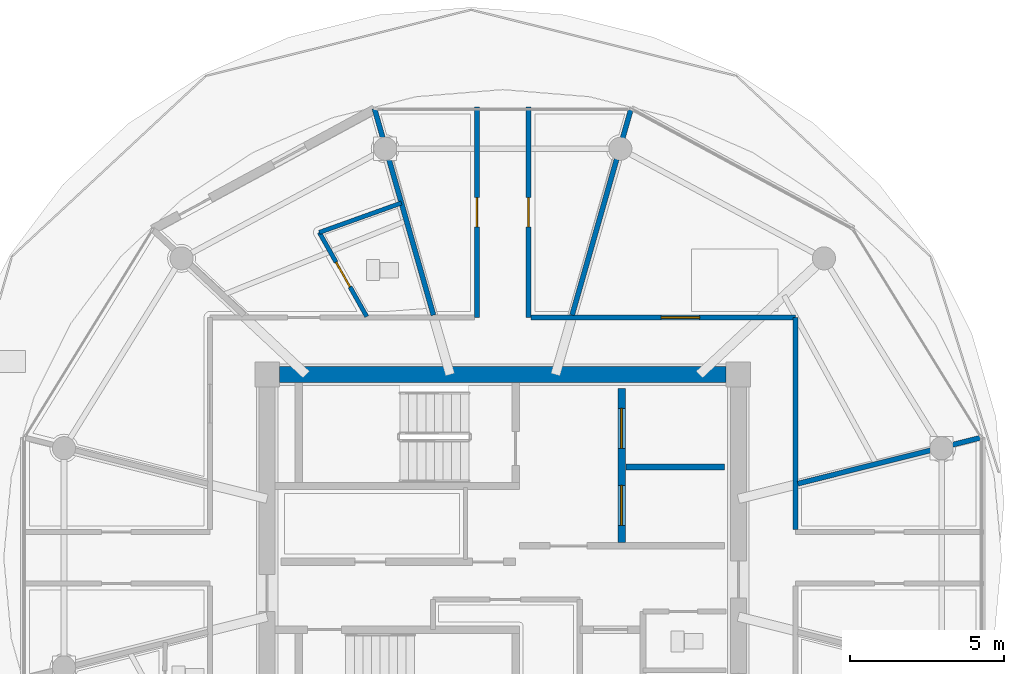
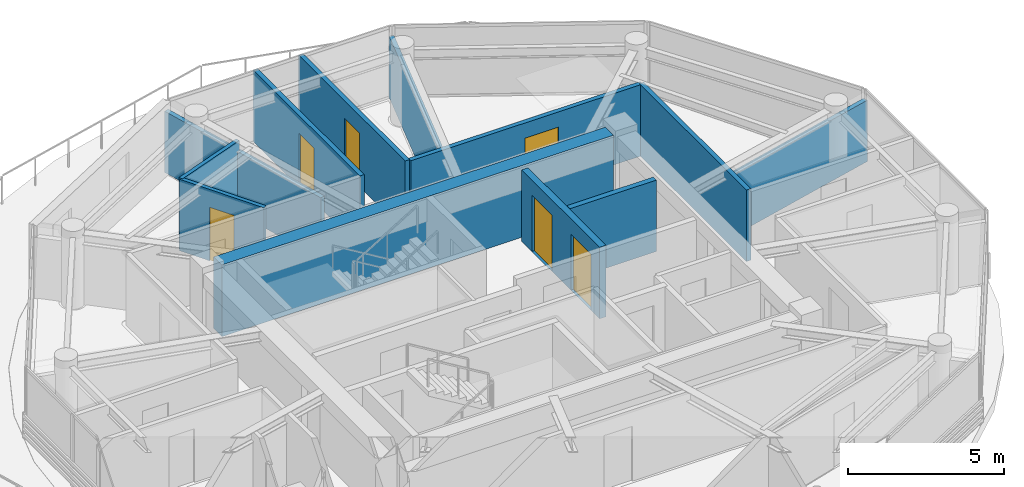
# One storey, part 15 of 28: 12 walls, 6 doors, 6 openings.
"""IFC4 building model written with IfcOpenShell, lengths in metres."""

from ifc_helpers import new_model, si_unit, direction, frame, frame_2d, origin, place, context, subcontext, project, spatial, rectangle, extrude, source, transform, mapped, material, layer, layer_set, type_object, type_shapes, element, fill, save


model = new_model("IFC4")

# Units and contexts
model_context = context("Model", 3, precision=1e-05, world=origin(), true_north=direction((0.0, 1.0)))
body_context = subcontext(model_context, "Body", "Model", "MODEL_VIEW")
ifc_project = project(units=[si_unit("LENGTHUNIT", "METRE"), si_unit("AREAUNIT", "SQUARE_METRE"), si_unit("VOLUMEUNIT", "CUBIC_METRE"), si_unit("PLANEANGLEUNIT", "RADIAN"), si_unit("MASSUNIT", "GRAM", prefix="KILO")], contexts=[model_context])

# Site, building, storey
site_placement = place(None, origin())
site = spatial("IfcSite", under=ifc_project, at=site_placement, CompositionType="ELEMENT")
building_placement = place(site_placement, origin())
building = spatial("IfcBuilding", under=site, at=building_placement, Name="Norrkilde Senior Care Towers", CompositionType="ELEMENT")
storey_placement = place(building_placement, frame((0.0, 0.0, 190.64990234375)))
storey = spatial("IfcBuildingStorey", under=building, at=storey_placement, Name="L59", CompositionType="ELEMENT", Elevation=190.64990234375)

# Wall
ifc_material_1 = material(Name="Concrete C50/60", Category="concrete")
ifc_layer_1 = layer(ifc_material_1, 0.52001953125)
ifc_layer_set_1 = layer_set([ifc_layer_1], Name="Concrete C50/60")
wall_type_1 = type_object("IfcWallType", Name="Core Shear Wall Z4 520", PredefinedType="SHEAR", material=ifc_layer_set_1)
shared_shape_1 = source(origin(), body_context, "Body", "SweptSolid", [
    extrude(rectangle(XDim=14.5, YDim=0.52001953125, at=frame_2d((7.25, 0.0))), origin(), (0.0, 0.0, 1.0), 2.81005859375),
])
type_shapes(wall_type_1, [shared_shape_1])
wall_1_placement = place(storey_placement, frame((20.75, 5.949951171875, 0.0), z_axis=(0.0, 0.0, 1.0), x_axis=(1.0, 0.0, 0.0)))
element("IfcWall", 1, at=wall_1_placement, inside=storey, type_object=wall_type_1, Name="L59 Core E North Shear Wall", PredefinedType="SHEAR", context=body_context, shape_type="MappedRepresentation", body=[
    mapped(shared_shape_1, transform((0.0, 0.0, 0.0), x_axis=(1.0, 0.0, 0.0), y_axis=(0.0, 1.0, 0.0), z_axis=(0.0, 0.0, 1.0), scale=1.0)),
])

# Wall, openings, doors
ifc_material_2 = material(Name="Concrete C45/55", Category="concrete")
ifc_layer_2 = layer(ifc_material_2, 0.239990234375)
ifc_layer_set_2 = layer_set([ifc_layer_2], Name="Concrete C45/55")
wall_type_2 = type_object("IfcWallType", Name="Lift and Plant Rated Enclosure Partition 240", PredefinedType="PARTITIONING", material=ifc_layer_set_2)
shared_shape_2 = source(origin(), body_context, "Body", "SweptSolid", [
    extrude(rectangle(XDim=5.0, YDim=0.239990234375, at=frame_2d((2.5, 0.0))), origin(), (0.0, 0.0, 1.0), 2.795166015625),
])
type_shapes(wall_type_2, [shared_shape_2])
wall_2_placement = place(storey_placement, frame((31.860107421875, 0.5, 0.0), z_axis=(0.0, 0.0, 1.0), x_axis=(0.0, 1.0, 0.0)))
wall_2 = element("IfcWall", 2, at=wall_2_placement, inside=storey, type_object=wall_type_2, Name="WL-INT-L59-E-FFLE", PredefinedType="PARTITIONING", context=body_context, shape_type="MappedRepresentation", body=[
    mapped(shared_shape_2, transform((0.0, 0.0, 0.0), x_axis=(1.0, 0.0, 0.0), y_axis=(0.0, 1.0, 0.0), z_axis=(0.0, 0.0, 1.0), scale=1.0)),
])
opening_1_placement = place(wall_2_placement, frame((3.050048828125, 0.0, 0.0)))
opening_1 = element("IfcOpeningElement", 3, at=opening_1_placement, cuts=wall_2, Name="Opening LD-02", PredefinedType="OPENING", context=body_context, shape_type="SweptSolid", body=[
    extrude(rectangle(XDim=1.300048828125, YDim=2.199951171875, at=frame_2d((0.64990234375, 1.10009765625))), frame((0.0, 0.1298828125, 0.0), z_axis=(0.0, -1.0, 0.0), x_axis=(1.0, 0.0, 0.0)), (0.0, 0.0, 1.0), 0.260009765625),
])
opening_2_placement = place(wall_2_placement, frame((0.550048828125, 0.0, 0.0)))
opening_2 = element("IfcOpeningElement", 4, at=opening_2_placement, cuts=wall_2, Name="Opening LD-02", PredefinedType="OPENING", context=body_context, shape_type="SweptSolid", body=[
    extrude(rectangle(XDim=1.300048828125, YDim=2.199951171875, at=frame_2d((0.64990234375, 1.10009765625))), frame((0.0, 0.1298828125, 0.0), z_axis=(0.0, -1.0, 0.0), x_axis=(1.0, 0.0, 0.0)), (0.0, 0.0, 1.0), 0.260009765625),
])
ifc_material_3 = material(Name="Stainless Steel", Category="steel")
door_type_1 = type_object("IfcDoorType", Name="Stretcher and FFL Landing Sliding Door 1300x2200", OperationType="NOTDEFINED", PredefinedType="DOOR", material=ifc_material_3)
shared_shape_3 = source(origin(), body_context, "Body", "SweptSolid", [
    extrude(rectangle(XDim=1.300048828125, YDim=2.199951171875, at=frame_2d((0.64990234375, 1.10009765625))), frame((0.0, 0.02490234375, 0.0), z_axis=(0.0, -1.0, 0.0), x_axis=(1.0, 0.0, 0.0)), (0.0, 0.0, 1.0), 0.050048828125),
])
type_shapes(door_type_1, [shared_shape_3])
door_1_placement = place(opening_1_placement, origin())
door_1 = element("IfcDoor", 5, at=door_1_placement, inside=storey, type_object=door_type_1, Name="L59 Firefighting Lift E1 Landing Door", OperationType="SLIDING_TO_LEFT", OverallHeight=2.199951171875, OverallWidth=1.300048828125, PredefinedType="DOOR", context=body_context, shape_type="MappedRepresentation", body=[
    mapped(shared_shape_3, transform((0.0, 0.0, 0.0), x_axis=(1.0, 0.0, 0.0), y_axis=(0.0, 1.0, 0.0), z_axis=(0.0, 0.0, 1.0), scale=1.0)),
])
fill(opening_1, door_1)
door_2_placement = place(opening_2_placement, origin())
door_2 = element("IfcDoor", 6, at=door_2_placement, inside=storey, type_object=door_type_1, Name="L59 Stretcher Lift E1 Landing Door", OperationType="SLIDING_TO_RIGHT", OverallHeight=2.199951171875, OverallWidth=1.300048828125, PredefinedType="DOOR", context=body_context, shape_type="MappedRepresentation", body=[
    mapped(shared_shape_3, transform((0.0, 0.0, 0.0), x_axis=(1.0, 0.0, 0.0), y_axis=(0.0, 1.0, 0.0), z_axis=(0.0, 0.0, 1.0), scale=1.0)),
])
fill(opening_2, door_2)

# Wall
ifc_layer_3 = layer(ifc_material_2, 0.199951171875)
ifc_layer_set_3 = layer_set([ifc_layer_3], Name="Concrete C45/55")
wall_type_3 = type_object("IfcWallType", Name="Shaft Division and Plant Partition 200", PredefinedType="PARTITIONING", material=ifc_layer_set_3)
shared_shape_4 = source(origin(), body_context, "Body", "SweptSolid", [
    extrude(rectangle(XDim=3.199951171875, YDim=0.199951171875, at=frame_2d((1.60009765625, 0.0))), origin(), (0.0, 0.0, 1.0), 2.795166015625),
])
type_shapes(wall_type_3, [shared_shape_4])
wall_3_placement = place(storey_placement, frame((32.0, 2.949951171875, 0.0), z_axis=(0.0, 0.0, 1.0), x_axis=(1.0, 0.0, 0.0)))
element("IfcWall", 7, at=wall_3_placement, inside=storey, type_object=wall_type_3, Name="WL-INT-L59-E-FFLDIV", PredefinedType="PARTITIONING", context=body_context, shape_type="MappedRepresentation", body=[
    mapped(shared_shape_4, transform((0.0, 0.0, 0.0), x_axis=(1.0, 0.0, 0.0), y_axis=(0.0, 1.0, 0.0), z_axis=(0.0, 0.0, 1.0), scale=1.0)),
])

# Wall, opening, door
ifc_material_4 = material(Name="Gypsum Acoustic Board")
ifc_layer_4 = layer(ifc_material_4, 0.1650390625)
ifc_layer_set_4 = layer_set([ifc_layer_4], Name="Gypsum Acoustic Board")
wall_type_4 = type_object("IfcWallType", Name="Corridor Rated Partition 165", PredefinedType="PARTITIONING", material=ifc_layer_set_4)
shared_shape_5 = source(origin(), body_context, "Body", "SweptSolid", [
    extrude(rectangle(XDim=8.580078125, YDim=0.1650390625, at=frame_2d((4.2900390625, 0.0))), origin(), (0.0, 0.0, 1.0), 2.795166015625),
])
wall_4_placement = place(storey_placement, frame((28.919921875, 7.800048828125, 0.0), z_axis=(0.0, 0.0, 1.0), x_axis=(1.0, 0.0, 0.0)))
wall_4 = element("IfcWall", 8, at=wall_4_placement, inside=storey, type_object=wall_type_4, Name="WL-INT-L59-E-CRW-N-1", PredefinedType="PARTITIONING", context=body_context, shape_type="MappedRepresentation", body=[
    mapped(shared_shape_5, transform((0.0, 0.0, 0.0), x_axis=(1.0, 0.0, 0.0), y_axis=(0.0, 1.0, 0.0), z_axis=(0.0, 0.0, 1.0), scale=1.0)),
])
opening_3_placement = place(wall_4_placement, frame((4.2197265625, 0.0, 0.0)))
opening_3 = element("IfcOpeningElement", 9, at=opening_3_placement, cuts=wall_4, Name="Opening D-05", PredefinedType="OPENING", context=body_context, shape_type="SweptSolid", body=[
    extrude(rectangle(XDim=1.25, YDim=2.199951171875, at=frame_2d((0.625, 1.10009765625))), frame((0.0, 0.092529296875, 0.0), z_axis=(0.0, -1.0, 0.0), x_axis=(1.0, 0.0, 0.0)), (0.0, 0.0, 1.0), 0.18505859375),
])
ifc_material_5 = material(Name="Nordic Ash Timber", Category="wood")
door_type_2 = type_object("IfcDoorType", Name="Care Bedroom Bariatric Door 1250x2200", OperationType="NOTDEFINED", PredefinedType="DOOR", material=ifc_material_5)
shared_shape_6 = source(origin(), body_context, "Body", "SweptSolid", [
    extrude(rectangle(XDim=1.25, YDim=2.199951171875, at=frame_2d((0.625, 1.10009765625))), frame((0.0, 0.02490234375, 0.0), z_axis=(0.0, -1.0, 0.0), x_axis=(1.0, 0.0, 0.0)), (0.0, 0.0, 1.0), 0.050048828125),
])
type_shapes(door_type_2, [shared_shape_6])
door_3_placement = place(opening_3_placement, frame((1.25, 0.0, 0.0), z_axis=(0.0, 0.0, 1.0), x_axis=(-1.0, 0.0, 0.0)))
door_3 = element("IfcDoor", 10, at=door_3_placement, inside=storey, type_object=door_type_2, Name="L59 Senior Wellness Library Lounge Door", OperationType="SINGLE_SWING_LEFT", OverallHeight=2.199951171875, OverallWidth=1.25, PredefinedType="DOOR", context=body_context, shape_type="MappedRepresentation", body=[
    mapped(shared_shape_6, transform((0.0, 0.0, 0.0), x_axis=(1.0, 0.0, 0.0), y_axis=(0.0, 1.0, 0.0), z_axis=(0.0, 0.0, 1.0), scale=1.0)),
])
fill(opening_3, door_3)

# Walls
shared_shape_7 = source(origin(), body_context, "Body", "SweptSolid", [
    extrude(rectangle(XDim=6.880126953125, YDim=0.1650390625, at=frame_2d((3.43994140625, 0.0))), origin(), (0.0, 0.0, 1.0), 2.795166015625),
])
wall_5_placement = place(storey_placement, frame((37.5, 7.800048828125, 0.0), z_axis=(0.0, 0.0, 1.0), x_axis=(0.0, -1.0, 0.0)))
element("IfcWall", 11, at=wall_5_placement, inside=storey, type_object=wall_type_4, Name="WL-INT-L59-E-CRW-E-0", PredefinedType="PARTITIONING", context=body_context, shape_type="MappedRepresentation", body=[
    mapped(shared_shape_7, transform((0.0, 0.0, 0.0), x_axis=(1.0, 0.0, 0.0), y_axis=(0.0, 1.0, 0.0), z_axis=(0.0, 0.0, 1.0), scale=1.0)),
])
shared_shape_8 = source(origin(), body_context, "Body", "SweptSolid", [
    extrude(rectangle(XDim=6.973876953125, YDim=0.1650390625, at=frame_2d((3.48681640625, 0.0))), origin(), (0.0, 0.0, 1.0), 2.39501953125),
])
for number, where, z_axis, x_axis, name in (
    (12, (30.251220703125, 7.8798828125, 0.0), (0.0, 0.0, 1.0), (0.274707256801, 0.961527910703, 0.0), "WL-INT-L59-E-DEM-02-0"),
    (13, (25.748779296875, 7.8798828125, 0.0), (0.0, 0.0, 1.0), (-0.274707256801, 0.961527910703, 0.0), "WL-INT-L59-E-DEM-03-0"),
):
    element("IfcWall", number, at=place(storey_placement, frame(where, z_axis=z_axis, x_axis=x_axis)), inside=storey, type_object=wall_type_4, Name=name, PredefinedType="PARTITIONING", context=body_context, shape_type="MappedRepresentation", body=[
        mapped(shared_shape_8, transform((0.0, 0.0, 0.0), x_axis=(1.0, 0.0, 0.0), y_axis=(0.0, 1.0, 0.0), z_axis=(0.0, 0.0, 1.0), scale=1.0)),
    ])
shared_shape_9 = source(origin(), body_context, "Body", "SweptSolid", [
    extrude(rectangle(XDim=6.1572265625, YDim=0.1650390625, at=frame_2d((3.07861328125, 0.0))), origin(), (0.0, 0.0, 1.0), 2.39501953125),
])
wall_6_placement = place(storey_placement, frame((37.580078125, 2.407470703125, 0.0), z_axis=(0.0, 0.0, 1.0), x_axis=(0.969840867184, 0.243738984038, 0.0)))
element("IfcWall", 14, at=wall_6_placement, inside=storey, type_object=wall_type_4, Name="WL-INT-L59-E-DEM-00-0", PredefinedType="PARTITIONING", context=body_context, shape_type="MappedRepresentation", body=[
    mapped(shared_shape_9, transform((0.0, 0.0, 0.0), x_axis=(1.0, 0.0, 0.0), y_axis=(0.0, 1.0, 0.0), z_axis=(0.0, 0.0, 1.0), scale=1.0)),
])

# Wall, opening, door
shared_shape_10 = source(origin(), body_context, "Body", "SweptSolid", [
    extrude(rectangle(XDim=6.83544921875, YDim=0.1650390625, at=frame_2d((3.417724609375, 0.0))), origin(), (0.0, 0.0, 1.0), 2.795166015625),
])
type_shapes(wall_type_4, [shared_shape_5, shared_shape_7, shared_shape_8, shared_shape_9, shared_shape_10])
wall_7_placement = place(storey_placement, frame((27.159912109375, 7.800048828125, 0.0), z_axis=(0.0, 0.0, 1.0), x_axis=(0.0, 1.0, 0.0)))
wall_7 = element("IfcWall", 15, at=wall_7_placement, inside=storey, type_object=wall_type_4, Name="WL-INT-L59-E-SPK-N1-0", PredefinedType="PARTITIONING", context=body_context, shape_type="MappedRepresentation", body=[
    mapped(shared_shape_10, transform((0.0, 0.0, 0.0), x_axis=(1.0, 0.0, 0.0), y_axis=(0.0, 1.0, 0.0), z_axis=(0.0, 0.0, 1.0), scale=1.0)),
])
opening_4_placement = place(wall_7_placement, frame((2.942626953125, 0.0, 0.0)))
opening_4 = element("IfcOpeningElement", 16, at=opening_4_placement, cuts=wall_7, Name="Opening D-07", PredefinedType="OPENING", context=body_context, shape_type="SweptSolid", body=[
    extrude(rectangle(XDim=0.949951171875, YDim=2.10009765625, at=frame_2d((0.47509765625, 1.050048828125))), frame((0.0, 0.092529296875, 0.0), z_axis=(0.0, -1.0, 0.0), x_axis=(1.0, 0.0, 0.0)), (0.0, 0.0, 1.0), 0.18505859375),
])
door_type_3 = type_object("IfcDoorType", Name="Internal Suite Bedroom Door 950x2100", OperationType="NOTDEFINED", PredefinedType="DOOR", material=ifc_material_5)
shared_shape_11 = source(origin(), body_context, "Body", "SweptSolid", [
    extrude(rectangle(XDim=0.949951171875, YDim=2.10009765625, at=frame_2d((0.47509765625, 1.050048828125))), frame((0.0, 0.02490234375, 0.0), z_axis=(0.0, -1.0, 0.0), x_axis=(1.0, 0.0, 0.0)), (0.0, 0.0, 1.0), 0.050048828125),
])
type_shapes(door_type_3, [shared_shape_11])
door_4_placement = place(opening_4_placement, frame((0.949951171875, 0.0, 0.0), z_axis=(0.0, 0.0, 1.0), x_axis=(-1.0, 0.0, 0.0)))
door_4 = element("IfcDoor", 17, at=door_4_placement, inside=storey, type_object=door_type_3, Name="L59 Sun Reading Lounge 3 Door", OperationType="SINGLE_SWING_RIGHT", OverallHeight=2.10009765625, OverallWidth=0.949951171875, PredefinedType="DOOR", context=body_context, shape_type="MappedRepresentation", body=[
    mapped(shared_shape_11, transform((0.0, 0.0, 0.0), x_axis=(1.0, 0.0, 0.0), y_axis=(0.0, 1.0, 0.0), z_axis=(0.0, 0.0, 1.0), scale=1.0)),
])
fill(opening_4, door_4)

wall_8_placement = place(storey_placement, frame((28.840087890625, 14.635498046875, 0.0), z_axis=(0.0, 0.0, 1.0), x_axis=(0.0, -1.0, 0.0)))
wall_8 = element("IfcWall", 18, at=wall_8_placement, inside=storey, type_object=wall_type_4, Name="WL-INT-L59-E-SPK-N2-0", PredefinedType="PARTITIONING", context=body_context, shape_type="MappedRepresentation", body=[
    mapped(shared_shape_10, transform((0.0, 0.0, 0.0), x_axis=(1.0, 0.0, 0.0), y_axis=(0.0, 1.0, 0.0), z_axis=(0.0, 0.0, 1.0), scale=1.0)),
])
opening_5_placement = place(wall_8_placement, frame((2.942626953125, 0.0, 0.0)))
opening_5 = element("IfcOpeningElement", 19, at=opening_5_placement, cuts=wall_8, Name="Opening D-07", PredefinedType="OPENING", context=body_context, shape_type="SweptSolid", body=[
    extrude(rectangle(XDim=0.949951171875, YDim=2.10009765625, at=frame_2d((0.47509765625, 1.050048828125))), frame((0.0, 0.092529296875, 0.0), z_axis=(0.0, -1.0, 0.0), x_axis=(1.0, 0.0, 0.0)), (0.0, 0.0, 1.0), 0.18505859375),
])
door_5_placement = place(opening_5_placement, frame((0.949951171875, 0.0, 0.0), z_axis=(0.0, 0.0, 1.0), x_axis=(-1.0, 0.0, 0.0)))
door_5 = element("IfcDoor", 20, at=door_5_placement, inside=storey, type_object=door_type_3, Name="L59 Sun Reading Lounge 4 Door", OperationType="SINGLE_SWING_LEFT", OverallHeight=2.10009765625, OverallWidth=0.949951171875, PredefinedType="DOOR", context=body_context, shape_type="MappedRepresentation", body=[
    mapped(shared_shape_11, transform((0.0, 0.0, 0.0), x_axis=(1.0, 0.0, 0.0), y_axis=(0.0, 1.0, 0.0), z_axis=(0.0, 0.0, 1.0), scale=1.0)),
])
fill(opening_5, door_5)

ifc_layer_5 = layer(ifc_material_4, 0.139892578125)
ifc_layer_set_5 = layer_set([ifc_layer_5], Name="Gypsum Acoustic Board")
wall_type_5 = type_object("IfcWallType", Name="En-suite Wet Room Wall 140", PredefinedType="PARTITIONING", material=ifc_layer_set_5)
shared_shape_12 = source(origin(), body_context, "Body", "SweptSolid", [
    extrude(rectangle(XDim=3.14013671875, YDim=0.139892578125, at=frame_2d((1.570068359375, 0.0))), origin(), (0.0, 0.0, 1.0), 2.795166015625),
])
wall_9_placement = place(storey_placement, frame((23.5849609375, 7.830078125, 0.0), z_axis=(0.0, 0.0, 1.0), x_axis=(-0.491132137966, 0.871085083707, 0.0)))
wall_9 = element("IfcWall", 21, at=wall_9_placement, inside=storey, type_object=wall_type_5, Name="WL-INT-L59-E-ES-03", PredefinedType="PARTITIONING", context=body_context, shape_type="MappedRepresentation", body=[
    mapped(shared_shape_12, transform((0.0, 0.0, 0.0), x_axis=(1.0, 0.0, 0.0), y_axis=(0.0, 1.0, 0.0), z_axis=(0.0, 0.0, 1.0), scale=1.0)),
])
opening_6_placement = place(wall_9_placement, frame((1.110107421875, 0.0, 0.0)))
opening_6 = element("IfcOpeningElement", 22, at=opening_6_placement, cuts=wall_9, Name="Opening D-08", PredefinedType="OPENING", context=body_context, shape_type="SweptSolid", body=[
    extrude(rectangle(XDim=0.919921875, YDim=2.10009765625, at=frame_2d((0.4599609375, 1.050048828125))), frame((0.0, 0.079833984375, 0.0), z_axis=(0.0, -1.0, 0.0), x_axis=(1.0, 0.0, 0.0)), (0.0, 0.0, 1.0), 0.159912109375),
])
door_type_4 = type_object("IfcDoorType", Name="Accessible Wet Room Door 920x2100", OperationType="NOTDEFINED", PredefinedType="DOOR", material=ifc_material_5)
shared_shape_13 = source(origin(), body_context, "Body", "SweptSolid", [
    extrude(rectangle(XDim=0.919921875, YDim=2.10009765625, at=frame_2d((0.4599609375, 1.050048828125))), frame((0.0, 0.02490234375, 0.0), z_axis=(0.0, -1.0, 0.0), x_axis=(1.0, 0.0, 0.0)), (0.0, 0.0, 1.0), 0.050048828125),
])
type_shapes(door_type_4, [shared_shape_13])
door_6_placement = place(opening_6_placement, origin())
door_6 = element("IfcDoor", 23, at=door_6_placement, inside=storey, type_object=door_type_4, Name="L59 Studio 59B Bathroom Door", OperationType="SINGLE_SWING_LEFT", OverallHeight=2.10009765625, OverallWidth=0.919921875, PredefinedType="DOOR", context=body_context, shape_type="MappedRepresentation", body=[
    mapped(shared_shape_13, transform((0.0, 0.0, 0.0), x_axis=(1.0, 0.0, 0.0), y_axis=(0.0, 1.0, 0.0), z_axis=(0.0, 0.0, 1.0), scale=1.0)),
])
fill(opening_6, door_6)

# Wall
shared_shape_14 = source(origin(), body_context, "Body", "SweptSolid", [
    extrude(rectangle(XDim=2.8310546875, YDim=0.139892578125, at=frame_2d((1.41552734375, 0.0))), origin(), (0.0, 0.0, 1.0), 2.795166015625),
])
type_shapes(wall_type_5, [shared_shape_12, shared_shape_14])
wall_10_placement = place(storey_placement, frame((22.042724609375, 10.5654296875, 0.0), z_axis=(0.0, 0.0, 1.0), x_axis=(0.941411742535, 0.337259441701, 0.0)))
element("IfcWall", 24, at=wall_10_placement, inside=storey, type_object=wall_type_5, Name="WL-INT-L59-E-EF-03", PredefinedType="PARTITIONING", context=body_context, shape_type="MappedRepresentation", body=[
    mapped(shared_shape_14, transform((0.0, 0.0, 0.0), x_axis=(1.0, 0.0, 0.0), y_axis=(0.0, 1.0, 0.0), z_axis=(0.0, 0.0, 1.0), scale=1.0)),
])

save(model, "model.ifc")
